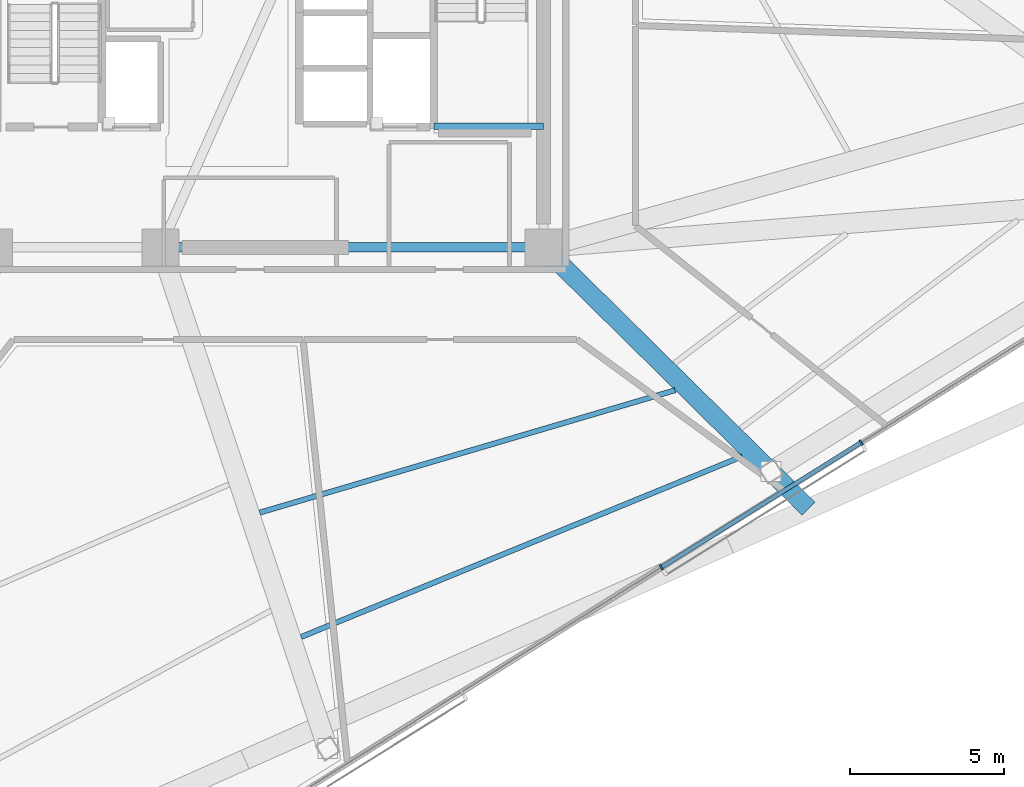
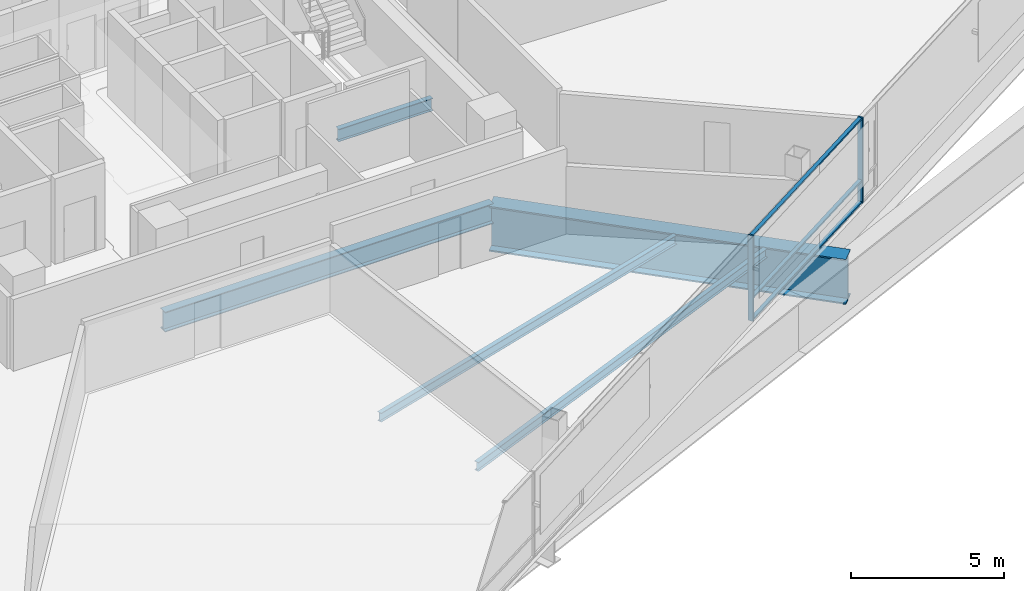
# One storey, part 5 of 20: 5 beams, 5 members, 1 element without a shape of its own.
"""IFC4 building model written with IfcOpenShell, lengths in metres."""

from ifc_helpers import new_model, si_unit, direction, frame, origin, origin_2d, place, context, subcontext, project, spatial, rectangle, i_section, extrude, material, layer, layer_set, material_profile, profile_set, type_object, element, aggregate, save


model = new_model("IFC4")

# Units and contexts
model_context = context("Model", 3, precision=1e-05, world=origin(), true_north=direction((0.0, 1.0)))
body_context = subcontext(model_context, "Body", "Model", "MODEL_VIEW")
ifc_project = project(units=[si_unit("LENGTHUNIT", "METRE"), si_unit("AREAUNIT", "SQUARE_METRE"), si_unit("VOLUMEUNIT", "CUBIC_METRE"), si_unit("PLANEANGLEUNIT", "RADIAN"), si_unit("MASSUNIT", "GRAM", prefix="KILO")], contexts=[model_context])

# Site, building, storey
site_placement = place(None, origin())
site = spatial("IfcSite", under=ifc_project, at=site_placement, CompositionType="ELEMENT")
building_placement = place(site_placement, origin())
building = spatial("IfcBuilding", under=site, at=building_placement, Name="Tharavind Bronze Gate", CompositionType="ELEMENT")
storey_placement = place(building_placement, frame((0.0, 0.0, 138.800048828125)))
storey = spatial("IfcBuildingStorey", under=building, at=storey_placement, Name="L35", CompositionType="ELEMENT", Elevation=138.800048828125)

# Curtain wall, members
ifc_material_1 = material(Name="Anodised Bronze Aluminium", Category="aluminium")
ifc_layer = layer(ifc_material_1, 0.219970703125)
ifc_layer_set = layer_set([ifc_layer], Name="Anodised Bronze Aluminium")
curtain_wall_type = type_object("IfcCurtainWallType", Name="UNITISED CURTAIN WALL MID OFFICE", PredefinedType="USERDEFINED", material=ifc_layer_set)
curtain_wall_placement = place(storey_placement, origin())
curtain_wall = element("IfcCurtainWall", 1, at=curtain_wall_placement, inside=storey, type_object=curtain_wall_type, Name="L35 unitised curtain wall mid office CW-L35-S2", ObjectType="UNITISED CURTAIN WALL", PredefinedType="USERDEFINED")
member_type_1 = type_object("IfcMemberType", Name="CURTAIN WALL BRONZE MULLION 65X180", PredefinedType="MULLION", material=ifc_material_1)
member_1_placement = place(storey_placement, frame((12.71826171875, -17.960205078125, 0.0), z_axis=(0.0, 0.0, 1.0), x_axis=(0.848048096156, 0.529919264233, 0.0)))
member_1 = element("IfcMember", 2, at=member_1_placement, type_object=member_type_1, Name="CW-L35-S2 mullion 5", PredefinedType="MULLION", context=body_context, shape_type="SweptSolid", body=[
    extrude(rectangle(XDim=0.06494140625, YDim=0.179931640625, at=origin_2d()), origin(), (0.0, 0.0, 1.0), 3.409912109375),
])
member_2_placement = place(storey_placement, frame((19.18359375, -13.919921875, 0.0), z_axis=(0.0, 0.0, 1.0), x_axis=(0.848048096156, 0.529919264233, 0.0)))
member_2 = element("IfcMember", 3, at=member_2_placement, type_object=member_type_1, Name="CW-L35-S2 mullion 6", PredefinedType="MULLION", context=body_context, shape_type="SweptSolid", body=[
    extrude(rectangle(XDim=0.06494140625, YDim=0.179931640625, at=origin_2d()), origin(), (0.0, 0.0, 1.0), 3.409912109375),
])
member_type_2 = type_object("IfcMemberType", Name="CURTAIN WALL BRONZE TRANSOM 65X140", PredefinedType="USERDEFINED", material=ifc_material_1)
member_3_placement = place(storey_placement, frame((15.950927734375, -15.93994140625, 0.0), z_axis=(0.0, 0.0, 1.0), x_axis=(0.848048096156, 0.529919264233, 0.0)))
member_3 = element("IfcMember", 4, at=member_3_placement, type_object=member_type_2, Name="CW-L35-S2 transom TB5", ObjectType="TRANSOM", PredefinedType="USERDEFINED", context=body_context, shape_type="SweptSolid", body=[
    extrude(rectangle(XDim=7.57080078125, YDim=0.139892578125, at=origin_2d()), origin(), (0.0, 0.0, 1.0), 0.06494140625),
])
member_4_placement = place(storey_placement, frame((15.950927734375, -15.93994140625, 0.867431640625), z_axis=(0.0, 0.0, 1.0), x_axis=(0.848048096156, 0.529919264233, 0.0)))
member_4 = element("IfcMember", 5, at=member_4_placement, type_object=member_type_2, Name="CW-L35-S2 transom TS5", ObjectType="TRANSOM", PredefinedType="USERDEFINED", context=body_context, shape_type="SweptSolid", body=[
    extrude(rectangle(XDim=7.57080078125, YDim=0.139892578125, at=origin_2d()), origin(), (0.0, 0.0, 1.0), 0.06494140625),
])
member_5_placement = place(storey_placement, frame((15.950927734375, -15.93994140625, 3.344970703125), z_axis=(0.0, 0.0, 1.0), x_axis=(0.848048096156, 0.529919264233, 0.0)))
member_5 = element("IfcMember", 6, at=member_5_placement, type_object=member_type_2, Name="CW-L35-S2 transom TT5", ObjectType="TRANSOM", PredefinedType="USERDEFINED", context=body_context, shape_type="SweptSolid", body=[
    extrude(rectangle(XDim=7.57080078125, YDim=0.139892578125, at=origin_2d()), origin(), (0.0, 0.0, 1.0), 0.06494140625),
])
aggregate(curtain_wall, [member_1, member_2, member_3, member_4, member_5])

# Beams
ifc_material_2 = material(Name="Steel S355", Category="steel")
ifc_material_profile_1 = material_profile(ifc_material_2, i_section(OverallWidth=0.199951171875, OverallDepth=0.5, WebThickness=0.01025390625, FlangeThickness=0.01611328125, at=origin_2d()), Name="IPE500")
ifc_profile_set_1 = profile_set([ifc_material_profile_1], Name="Steel S355")
beam_type_1 = type_object("IfcBeamType", Name="PRIMARY GIRDER IPE500", PredefinedType="USERDEFINED", material=ifc_profile_set_1)
beam_1_placement = place(storey_placement, frame((5.35009765625, -3.679931640625, 1.349853515625), z_axis=(1.0, 0.0, 0.0), x_axis=(0.0, 1.0, 0.0)))
element("IfcBeam", 7, at=beam_1_placement, inside=storey, type_object=beam_type_1, Name="L35 primary girder ipe500 BM-LD-ST2-L35-1", ObjectType="GIRDER", PredefinedType="USERDEFINED", context=body_context, shape_type="SweptSolid", body=[
    extrude(i_section(OverallWidth=0.199951171875, OverallDepth=0.5, WebThickness=0.01025390625, FlangeThickness=0.01611328125, at=origin_2d()), origin(), (0.0, 0.0, 1.0), 3.5498046875),
])
ifc_material_profile_2 = material_profile(ifc_material_2, i_section(OverallWidth=0.300048828125, OverallDepth=0.800048828125, WebThickness=0.017578125, FlangeThickness=0.032958984375, at=origin_2d()), Name="HE800B")
ifc_profile_set_2 = profile_set([ifc_material_profile_2], Name="Steel S355")
beam_type_2 = type_object("IfcBeamType", Name="RING GIRDER HE800B", PredefinedType="USERDEFINED", material=ifc_profile_set_2)
beam_2_placement = place(storey_placement, frame((-3.5, -7.60009765625, -0.590087890625), z_axis=(1.0, 0.0, 0.0), x_axis=(0.0, 1.0, 0.0)))
element("IfcBeam", 8, at=beam_2_placement, inside=storey, type_object=beam_type_2, Name="L35 ring girder he800b BM-L35-CR2", ObjectType="GIRDER", PredefinedType="USERDEFINED", context=body_context, shape_type="SweptSolid", body=[
    extrude(i_section(OverallWidth=0.300048828125, OverallDepth=0.800048828125, WebThickness=0.017578125, FlangeThickness=0.032958984375, at=origin_2d()), origin(), (0.0, 0.0, 1.0), 12.39990234375),
])
ifc_material_profile_3 = material_profile(ifc_material_2, i_section(OverallWidth=0.169921875, OverallDepth=0.360107421875, WebThickness=0.008056640625, FlangeThickness=0.0126953125, at=origin_2d()), Name="IPE360")
ifc_profile_set_3 = profile_set([ifc_material_profile_3], Name="Steel S355")
beam_type_3 = type_object("IfcBeamType", Name="SECONDARY FLOOR JOIST IPE360", PredefinedType="JOIST", material=ifc_profile_set_3)
beam_3_placement = place(storey_placement, frame((-0.28857421875, -16.18896484375, -0.3701171875), z_axis=(0.959209239776, 0.282697071665, 0.0), x_axis=(-0.282697071665, 0.959209239776, 0.0)))
element("IfcBeam", 9, at=beam_3_placement, inside=storey, type_object=beam_type_3, Name="L35 secondary floor joist ipe360 BM-L35-JSTA06", PredefinedType="JOIST", context=body_context, shape_type="SweptSolid", body=[
    extrude(i_section(OverallWidth=0.169921875, OverallDepth=0.360107421875, WebThickness=0.008056640625, FlangeThickness=0.0126953125, at=origin_2d()), origin(), (0.0, 0.0, 1.0), 14.019775390625),
])
beam_4_placement = place(storey_placement, frame((1.0537109375, -20.214111328125, -0.3701171875), z_axis=(0.925442066787, 0.378889140807, 0.0), x_axis=(-0.378889140807, 0.925442066787, 0.0)))
element("IfcBeam", 10, at=beam_4_placement, inside=storey, type_object=beam_type_3, Name="L35 secondary floor joist ipe360 BM-L35-JSTB06", PredefinedType="JOIST", context=body_context, shape_type="SweptSolid", body=[
    extrude(i_section(OverallWidth=0.169921875, OverallDepth=0.360107421875, WebThickness=0.008056640625, FlangeThickness=0.0126953125, at=origin_2d()), origin(), (0.0, 0.0, 1.0), 15.42919921875),
])
ifc_material_3 = material(Name="Steel S460", Category="steel")
ifc_material_profile_4 = material_profile(ifc_material_3, i_section(OverallWidth=0.60009765625, OverallDepth=1.800048828125, WebThickness=0.031982421875, FlangeThickness=0.054931640625, at=origin_2d()), Name="PG1800X600")
ifc_profile_set_4 = profile_set([ifc_material_profile_4], Name="Steel S460")
beam_type_4 = type_object("IfcBeamType", Name="TRANSFER GIRDER 1800X600", PredefinedType="USERDEFINED", material=ifc_profile_set_4)
beam_5_placement = place(storey_placement, frame((8.89990234375, -7.60009765625, -1.090087890625), z_axis=(0.712112086101, -0.702065792379, 0.0), x_axis=(0.702065792379, 0.712112086101, 0.0)))
element("IfcBeam", 11, at=beam_5_placement, inside=storey, type_object=beam_type_4, Name="L35 transfer girder 1800x600 BM-L35-XFR07", ObjectType="TRANSFER GIRDER", PredefinedType="USERDEFINED", context=body_context, shape_type="SweptSolid", body=[
    extrude(i_section(OverallWidth=0.60009765625, OverallDepth=1.800048828125, WebThickness=0.031982421875, FlangeThickness=0.054931640625, at=origin_2d()), origin(), (0.0, 0.0, 1.0), 12.053466796875),
])

save(model, "model.ifc")
